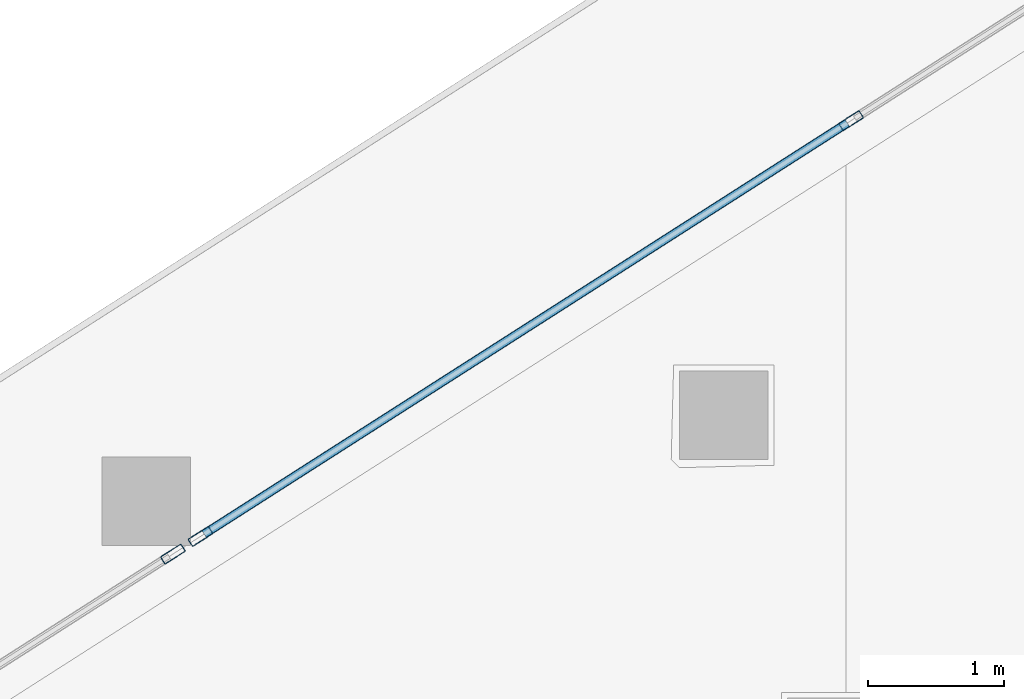
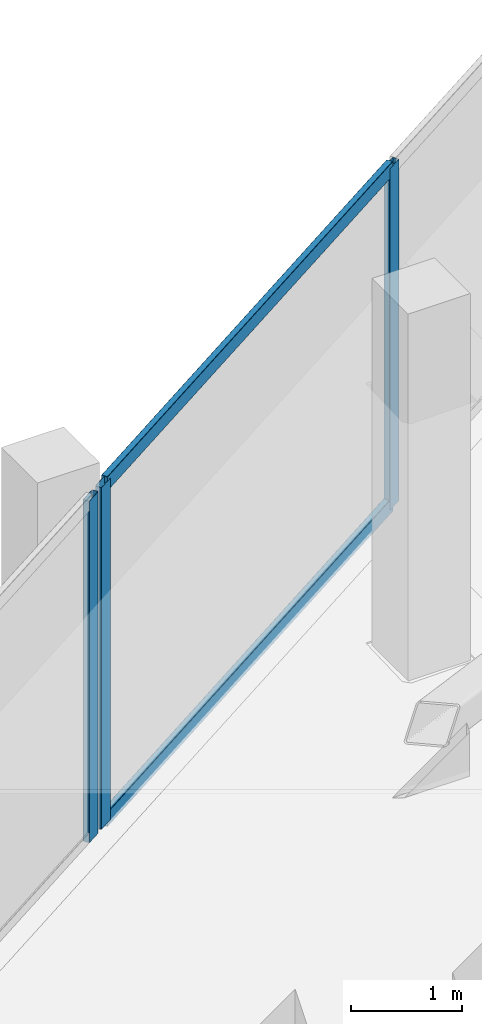
# One storey, part 17 of 45: 5 members, 2 elements without a shape of their own.
"""IFC4 building model written with IfcOpenShell, lengths in metres."""

from ifc_helpers import new_model, si_unit, direction, frame, origin, origin_2d, place, context, subcontext, project, spatial, hollow_rectangle, extrude, material, layer, layer_set, material_profile, profile_set, type_object, element, aggregate, save


model = new_model("IFC4")

# Units and contexts
model_context = context("Model", 3, precision=1e-05, world=origin(), true_north=direction((0.0, 1.0)))
body_context = subcontext(model_context, "Body", "Model", "MODEL_VIEW")
ifc_project = project(units=[si_unit("LENGTHUNIT", "METRE"), si_unit("AREAUNIT", "SQUARE_METRE"), si_unit("VOLUMEUNIT", "CUBIC_METRE"), si_unit("PLANEANGLEUNIT", "RADIAN"), si_unit("MASSUNIT", "GRAM", prefix="KILO")], contexts=[model_context])

# Site, building, storey
site_placement = place(None, origin())
site = spatial("IfcSite", under=ifc_project, at=site_placement, CompositionType="ELEMENT")
building_placement = place(site_placement, origin())
building = spatial("IfcBuilding", under=site, at=building_placement, Name="Qorvath Tower", CompositionType="ELEMENT")
storey_placement = place(building_placement, frame((0.0, 0.0, 126.0)))
storey = spatial("IfcBuildingStorey", under=building, at=storey_placement, Name="L28", CompositionType="ELEMENT", Elevation=126.0)

# Curtain wall, members
ifc_material_1 = material(Name="Anodised aluminium and triple low-E glass", Category="aluminium")
ifc_layer = layer(ifc_material_1, 0.179931640625)
ifc_layer_set = layer_set([ifc_layer], Name="CW-SYS-2")
curtain_wall_type = type_object("IfcCurtainWallType", Name="CW-SYS-2", PredefinedType="NOTDEFINED", material=ifc_layer_set)
curtain_wall_1_placement = place(storey_placement, origin())
curtain_wall_1 = element("IfcCurtainWall", 1, at=curtain_wall_1_placement, inside=storey, type_object=curtain_wall_type, Name="Curtain Wall CW-2 CW-T-L28-16.2", PredefinedType="NOTDEFINED")
ifc_material_2 = material(Name="Anodised aluminium 6063-T6", Category="aluminium")
ifc_material_profile_1 = material_profile(ifc_material_2, hollow_rectangle(XDim=0.06494140625, YDim=0.179931640625, WallThickness=0.00341796875, InnerFilletRadius=0.00341796875, OuterFilletRadius=0.007080078125, at=origin_2d()), Name="CWM 180x65")
ifc_profile_set_1 = profile_set([ifc_material_profile_1], Name="Anodised aluminium 6063-T6")
member_type_1 = type_object("IfcMemberType", Name="CWM-180", PredefinedType="MULLION", material=ifc_profile_set_1)
member_1_placement = place(storey_placement, frame((-30.081787109375, 21.62109375, 0.0), z_axis=(0.0, 0.0, 1.0), x_axis=(0.538529520478, -0.842606643442, 0.0)))
member_1 = element("IfcMember", 2, at=member_1_placement, type_object=member_type_1, Name="CW-2 mullion 2", PredefinedType="MULLION", context=body_context, shape_type="SweptSolid", body=[
    extrude(hollow_rectangle(XDim=0.06494140625, YDim=0.179931640625, WallThickness=0.00341796875, InnerFilletRadius=0.00341796875, OuterFilletRadius=0.007080078125, at=origin_2d()), origin(), (0.0, 0.0, 1.0), 3.77001953125),
])
member_2_placement = place(storey_placement, frame((-34.854248046875, 18.571044921875, 0.0), z_axis=(0.0, 0.0, 1.0), x_axis=(0.538529520478, -0.842606643442, 0.0)))
member_2 = element("IfcMember", 3, at=member_2_placement, type_object=member_type_1, Name="CW-2 mullion 3", PredefinedType="MULLION", context=body_context, shape_type="SweptSolid", body=[
    extrude(hollow_rectangle(XDim=0.06494140625, YDim=0.179931640625, WallThickness=0.00341796875, InnerFilletRadius=0.00341796875, OuterFilletRadius=0.007080078125, at=origin_2d()), origin(), (0.0, 0.0, 1.0), 3.77001953125),
])

# Curtain wall, member
curtain_wall_2_placement = place(storey_placement, origin())
curtain_wall_2 = element("IfcCurtainWall", 4, at=curtain_wall_2_placement, inside=storey, type_object=curtain_wall_type, Name="Curtain Wall CW-2 CW-T-L28-16.3", PredefinedType="NOTDEFINED")
member_3_placement = place(storey_placement, frame((-35.056396484375, 18.441650390625, 0.0), z_axis=(0.0, 0.0, 1.0), x_axis=(0.538534177075, -0.842603667285, 0.0)))
member_3 = element("IfcMember", 5, at=member_3_placement, type_object=member_type_1, Name="CW-2 mullion 1", PredefinedType="MULLION", context=body_context, shape_type="SweptSolid", body=[
    extrude(hollow_rectangle(XDim=0.06494140625, YDim=0.179931640625, WallThickness=0.00341796875, InnerFilletRadius=0.00341796875, OuterFilletRadius=0.007080078125, at=origin_2d()), origin(), (0.0, 0.0, 1.0), 3.77001953125),
])
aggregate(curtain_wall_2, [member_3])

# Member
ifc_material_3 = material(Name="Anodised aluminium 6063-T6", Category="aluminium")
ifc_material_profile_2 = material_profile(ifc_material_3, hollow_rectangle(XDim=0.06494140625, YDim=0.159912109375, WallThickness=0.00341796875, InnerFilletRadius=0.00341796875, OuterFilletRadius=0.007080078125, at=origin_2d()), Name="CWT 160x65")
ifc_profile_set_2 = profile_set([ifc_material_profile_2], Name="Anodised aluminium 6063-T6")
member_type_2 = type_object("IfcMemberType", Name="CWT-160", PredefinedType="USERDEFINED", material=ifc_profile_set_2)
member_4_placement = place(storey_placement, frame((-30.109375, 21.603515625, 0.032470703125), z_axis=(-0.842622059823, -0.53850539858, 0.0), x_axis=(0.53850539858, -0.842622059823, 0.0)))
member_4 = element("IfcMember", 6, at=member_4_placement, type_object=member_type_2, Name="CW-2 transom 2.1", ObjectType="TRANSOM", PredefinedType="USERDEFINED", context=body_context, shape_type="SweptSolid", body=[
    extrude(hollow_rectangle(XDim=0.06494140625, YDim=0.159912109375, WallThickness=0.00341796875, InnerFilletRadius=0.00341796875, OuterFilletRadius=0.007080078125, at=origin_2d()), origin(), (0.0, 0.0, 1.0), 5.5986328125),
])

member_5_placement = place(storey_placement, frame((-30.109375, 21.603515625, 3.737548828125), z_axis=(-0.842622059823, -0.53850539858, 0.0), x_axis=(0.53850539858, -0.842622059823, 0.0)))
member_5 = element("IfcMember", 7, at=member_5_placement, type_object=member_type_2, Name="CW-2 transom 2.2", ObjectType="TRANSOM", PredefinedType="USERDEFINED", context=body_context, shape_type="SweptSolid", body=[
    extrude(hollow_rectangle(XDim=0.06494140625, YDim=0.159912109375, WallThickness=0.00341796875, InnerFilletRadius=0.00341796875, OuterFilletRadius=0.007080078125, at=origin_2d()), origin(), (0.0, 0.0, 1.0), 5.5986328125),
])

aggregate(curtain_wall_1, [member_1, member_2, member_4, member_5])

save(model, "model.ifc")
